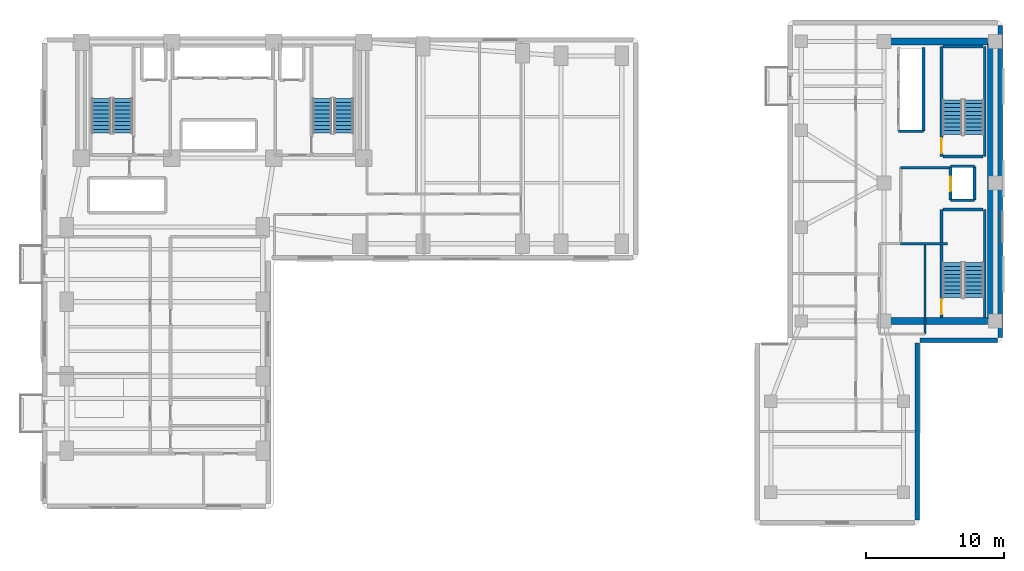
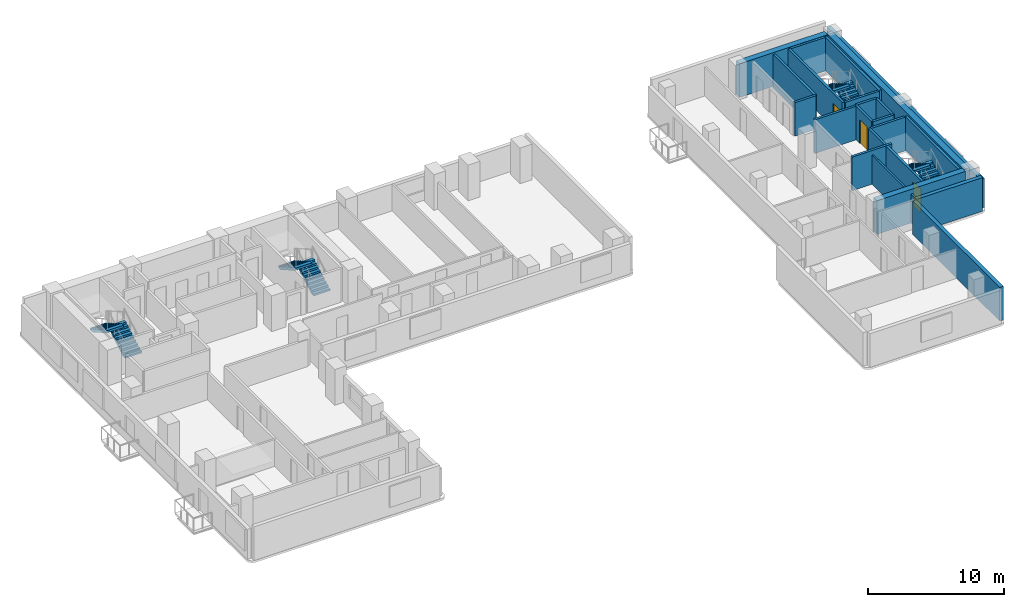
# One storey, part 12 of 16: 22 walls, 8 stair flights, 3 doors, 3 openings, 4 elements without a shape of their own.
"""IFC4 building model written with IfcOpenShell, lengths in metres."""

from ifc_helpers import new_model, si_unit, direction, frame, frame_2d, origin, place, context, subcontext, project, spatial, polyline, rectangle, outline, extrude, material, layer, layer_set, type_object, element, fill, aggregate, save


model = new_model("IFC4")

# Units and contexts
model_context = context("Model", 3, precision=1e-05, world=origin(), true_north=direction((0.0, 1.0)))
body_context = subcontext(model_context, "Body", "Model", "MODEL_VIEW")
ifc_project = project(units=[si_unit("LENGTHUNIT", "METRE"), si_unit("AREAUNIT", "SQUARE_METRE"), si_unit("VOLUMEUNIT", "CUBIC_METRE"), si_unit("PLANEANGLEUNIT", "RADIAN"), si_unit("MASSUNIT", "GRAM", prefix="KILO")], contexts=[model_context])

# Site, building, storey
site_placement = place(None, origin())
site = spatial("IfcSite", under=ifc_project, at=site_placement, CompositionType="ELEMENT")
building_placement = place(site_placement, origin())
building = spatial("IfcBuilding", under=site, at=building_placement, Name="Kuzgunbayir Cultural Tower", CompositionType="ELEMENT")
storey_placement = place(building_placement, frame((0.0, 0.0, 66.0)))
storey = spatial("IfcBuildingStorey", under=building, at=storey_placement, Name="L18", CompositionType="ELEMENT", Elevation=66.0)

# Walls
ifc_material_1 = material(Name="Travertine Buff Ashlar", Category="masonry")
ifc_layer_1 = layer(ifc_material_1, 0.320068359375)
ifc_layer_set_1 = layer_set([ifc_layer_1], Name="Travertine Buff Ashlar")
wall_type_1 = type_object("IfcWallType", Name="WAL-EXT-STONE-320", PredefinedType="STANDARD", material=ifc_layer_set_1)
wall_1_placement = place(storey_placement, frame((73.0, 20.800048828125, 0.0), z_axis=(0.0, 0.0, 1.0), x_axis=(0.0, 1.0, 0.0)))
element("IfcWall", 1, at=wall_1_placement, inside=storey, type_object=wall_type_1, Name="L18 Companion East Limestone Wall", PredefinedType="STANDARD", context=body_context, shape_type="SweptSolid", body=[
    extrude(rectangle(XDim=22.599853515625, YDim=0.320068359375, at=frame_2d((11.2998046875, 0.0))), origin(), (0.0, 0.0, 1.0), 2.60009765625),
])
wall_2_placement = place(storey_placement, frame((67.0, 7.60009765625, 0.0), z_axis=(0.0, 0.0, 1.0), x_axis=(0.0, 1.0, 0.0)))
element("IfcWall", 2, at=wall_2_placement, inside=storey, type_object=wall_type_1, Name="L18 Companion Wing B East Wall", PredefinedType="STANDARD", context=body_context, shape_type="SweptSolid", body=[
    extrude(rectangle(XDim=12.7998046875, YDim=0.320068359375, at=frame_2d((6.39990234375, 0.0))), origin(), (0.0, 0.0, 1.0), 3.02001953125),
])
wall_3_placement = place(storey_placement, frame((67.199951171875, 20.60009765625, 0.0), z_axis=(0.0, 0.0, 1.0), x_axis=(1.0, 0.0, 0.0)))
element("IfcWall", 3, at=wall_3_placement, inside=storey, type_object=wall_type_1, Name="L18 Companion South-East Link", PredefinedType="STANDARD", context=body_context, shape_type="SweptSolid", body=[
    extrude(rectangle(XDim=5.60009765625, YDim=0.320068359375, at=frame_2d((2.800048828125, 0.0))), origin(), (0.0, 0.0, 1.0), 3.02001953125),
])
ifc_material_2 = material(Name="Acoustic Double-Stud Drywall", Category="gypsum")
ifc_layer_2 = layer(ifc_material_2, 0.14990234375)
ifc_layer_set_2 = layer_set([ifc_layer_2], Name="Acoustic Double-Stud Drywall")
wall_type_2 = type_object("IfcWallType", Name="WAL-PART-ACOUSTIC-150", PredefinedType="PARTITIONING", material=ifc_layer_set_2)
wall_4_placement = place(storey_placement, frame((67.550048828125, 21.050048828125, 0.0), z_axis=(0.0, 0.0, 1.0), x_axis=(0.0, 1.0, 0.0)))
element("IfcWall", 4, at=wall_4_placement, inside=storey, type_object=wall_type_2, Name="L18 Companion Archive East Wall", PredefinedType="PARTITIONING", context=body_context, shape_type="SweptSolid", body=[
    extrude(rectangle(XDim=6.469970703125, YDim=0.14990234375, at=frame_2d((3.23486328125, 0.0))), origin(), (0.0, 0.0, 1.0), 2.60009765625),
])
ifc_material_3 = material(Name="Aerated Concrete Blockwork", Category="masonry")
ifc_layer_3 = layer(ifc_material_3, 0.199951171875)
ifc_layer_set_3 = layer_set([ifc_layer_3], Name="Aerated Concrete Blockwork")
wall_type_3 = type_object("IfcWallType", Name="WAL-PART-FIRE-200", PredefinedType="PARTITIONING", material=ifc_layer_set_3)
wall_5_placement = place(storey_placement, frame((65.800048828125, 33.10009765625, 0.0), z_axis=(0.0, 0.0, 1.0), x_axis=(1.0, 0.0, 0.0)))
element("IfcWall", 5, at=wall_5_placement, inside=storey, type_object=wall_type_3, Name="L18 FFL-3 Lobby North Fire Wall", PredefinedType="PARTITIONING", context=body_context, shape_type="SweptSolid", body=[
    extrude(rectangle(XDim=3.599853515625, YDim=0.199951171875, at=frame_2d((1.7998046875, 0.0))), origin(), (0.0, 0.0, 1.0), 3.02001953125),
])
wall_6_placement = place(storey_placement, frame((65.800048828125, 27.60009765625, 0.0), z_axis=(0.0, 0.0, 1.0), x_axis=(1.0, 0.0, 0.0)))
element("IfcWall", 6, at=wall_6_placement, inside=storey, type_object=wall_type_3, Name="L18 FFL-3 Lobby South Fire Wall", PredefinedType="PARTITIONING", context=body_context, shape_type="SweptSolid", body=[
    extrude(rectangle(XDim=3.39990234375, YDim=0.199951171875, at=frame_2d((1.699951171875, 0.0))), origin(), (0.0, 0.0, 1.0), 3.02001953125),
])
ifc_material_4 = material(Name="Concrete C40/50", Category="concrete")
ifc_layer_4 = layer(ifc_material_4, 0.199951171875)
ifc_layer_set_4 = layer_set([ifc_layer_4], Name="Concrete C40/50")
wall_type_4 = type_object("IfcWallType", Name="WAL-SHAFT-200", PredefinedType="MOVABLE", material=ifc_layer_set_4)
wall_7_placement = place(storey_placement, frame((67.449951171875, 35.75, 0.0), z_axis=(0.0, 0.0, 1.0), x_axis=(0.0, 1.0, 0.0)))
element("IfcWall", 7, at=wall_7_placement, inside=storey, type_object=wall_type_4, Name="L18 Companion Lift Shaft Back Wall", PredefinedType="MOVABLE", context=body_context, shape_type="SweptSolid", body=[
    extrude(rectangle(XDim=6.050048828125, YDim=0.199951171875, at=frame_2d((3.02490234375, 0.0))), origin(), (0.0, 0.0, 1.0), 3.02001953125),
])
wall_8_placement = place(storey_placement, frame((65.64990234375, 35.75, 0.0), z_axis=(0.0, 0.0, 1.0), x_axis=(1.0, 0.0, 0.0)))
element("IfcWall", 8, at=wall_8_placement, inside=storey, type_object=wall_type_4, Name="L18 Companion Lift Shaft South Wall", PredefinedType="MOVABLE", context=body_context, shape_type="SweptSolid", body=[
    extrude(rectangle(XDim=1.800048828125, YDim=0.199951171875, at=frame_2d((0.89990234375, 0.0))), origin(), (0.0, 0.0, 1.0), 3.02001953125),
])

# Wall, opening, door
wall_9_placement = place(storey_placement, frame((69.39990234375, 30.75, 0.0), z_axis=(0.0, 0.0, 1.0), x_axis=(0.0, 1.0, 0.0)))
wall_9 = element("IfcWall", 9, at=wall_9_placement, inside=storey, type_object=wall_type_4, Name="L18 FFL-3 Lift Front Wall", PredefinedType="MOVABLE", context=body_context, shape_type="SweptSolid", body=[
    extrude(rectangle(XDim=2.449951171875, YDim=0.199951171875, at=frame_2d((1.22509765625, 0.0))), origin(), (0.0, 0.0, 1.0), 3.02001953125),
])
opening_1_placement = place(wall_9_placement, frame((0.64990234375, 0.0, 0.0)))
opening_1 = element("IfcOpeningElement", 10, at=opening_1_placement, cuts=wall_9, Name="Opening LD", PredefinedType="OPENING", context=body_context, shape_type="SweptSolid", body=[
    extrude(rectangle(XDim=1.050048828125, YDim=2.14990234375, at=frame_2d((0.52490234375, 1.074951171875))), frame((0.0, 0.10986328125, 0.0), z_axis=(0.0, -1.0, 0.0), x_axis=(1.0, 0.0, 0.0)), (0.0, 0.0, 1.0), 0.219970703125),
])
ifc_material_5 = material(Name="Brushed Stainless Steel", Category="steel")
door_type_1 = type_object("IfcDoorType", Name="DR-LIFT-LANDING", OperationType="SLIDING_TO_LEFT", PredefinedType="DOOR", material=ifc_material_5)
door_1_placement = place(opening_1_placement, origin())
door_1 = element("IfcDoor", 11, at=door_1_placement, inside=storey, type_object=door_type_1, Name="L18 Lift FFL-3 Landing Door", OperationType="SLIDING_TO_LEFT", OverallHeight=2.14990234375, OverallWidth=1.050048828125, PredefinedType="DOOR", context=body_context, shape_type="SweptSolid", body=[
    extrude(rectangle(XDim=1.050048828125, YDim=2.14990234375, at=frame_2d((0.52490234375, 1.074951171875))), frame((0.0, 0.02490234375, 0.0), z_axis=(0.0, -1.0, 0.0), x_axis=(1.0, 0.0, 0.0)), (0.0, 0.0, 1.0), 0.050048828125),
])
fill(opening_1, door_1)

# Walls
wall_10_placement = place(storey_placement, frame((71.14990234375, 30.75, 0.0), z_axis=(0.0, 0.0, 1.0), x_axis=(0.0, 1.0, 0.0)))
element("IfcWall", 12, at=wall_10_placement, inside=storey, type_object=wall_type_4, Name="L18 FFL-3 Shaft Back Wall", PredefinedType="MOVABLE", context=body_context, shape_type="SweptSolid", body=[
    extrude(rectangle(XDim=2.449951171875, YDim=0.199951171875, at=frame_2d((1.22509765625, 0.0))), origin(), (0.0, 0.0, 1.0), 3.02001953125),
])
for number, where, z_axis, x_axis, name in (
    (13, (69.39990234375, 33.199951171875, 0.0), (0.0, 0.0, 1.0), (1.0, 0.0, 0.0), "L18 FFL-3 Shaft North Wall"),
    (14, (69.39990234375, 30.75, 0.0), (0.0, 0.0, 1.0), (1.0, 0.0, 0.0), "L18 FFL-3 Shaft South Wall"),
):
    element("IfcWall", number, at=place(storey_placement, frame(where, z_axis=z_axis, x_axis=x_axis)), inside=storey, type_object=wall_type_4, Name=name, PredefinedType="MOVABLE", context=body_context, shape_type="SweptSolid", body=[
        extrude(rectangle(XDim=1.75, YDim=0.199951171875, at=frame_2d((0.875, 0.0))), origin(), (0.0, 0.0, 1.0), 3.02001953125),
    ])

# Wall, opening, door
ifc_layer_5 = layer(ifc_material_4, 0.199951171875)
ifc_layer_set_5 = layer_set([ifc_layer_5], Name="Concrete C40/50")
wall_type_5 = type_object("IfcWallType", Name="WAL-STAIR-RC-200", PredefinedType="SHEAR", material=ifc_layer_set_5)
wall_11_placement = place(storey_placement, frame((68.760009765625, 22.260009765625, 0.0), z_axis=(0.0, 0.0, 1.0), x_axis=(0.0, 1.0, 0.0)))
wall_11 = element("IfcWall", 15, at=wall_11_placement, inside=storey, type_object=wall_type_5, Name="L18 Stair ST-3 West Structural Wall", PredefinedType="SHEAR", context=body_context, shape_type="SweptSolid", body=[
    extrude(rectangle(XDim=7.820068359375, YDim=0.199951171875, at=frame_2d((3.91015625, 0.0))), origin(), (0.0, 0.0, 1.0), 3.02001953125),
])
opening_2_placement = place(wall_11_placement, frame((0.219970703125, 0.0, 0.0)))
opening_2 = element("IfcOpeningElement", 16, at=opening_2_placement, cuts=wall_11, Name="Opening DR-STAIR-90", PredefinedType="OPENING", context=body_context, shape_type="SweptSolid", body=[
    extrude(rectangle(XDim=1.10009765625, YDim=2.14990234375, at=frame_2d((0.550048828125, 1.074951171875))), frame((0.0, 0.10986328125, 0.0), z_axis=(0.0, -1.0, 0.0), x_axis=(1.0, 0.0, 0.0)), (0.0, 0.0, 1.0), 0.219970703125),
])
ifc_material_6 = material(Name="Steel S355J2", Category="steel")
door_type_2 = type_object("IfcDoorType", Name="DR-STAIR-90", OperationType="NOTDEFINED", PredefinedType="DOOR", material=ifc_material_6)
door_2_placement = place(opening_2_placement, origin())
door_2 = element("IfcDoor", 17, at=door_2_placement, inside=storey, type_object=door_type_2, Name="L18 Stair ST-3 Fire Door", OperationType="SINGLE_SWING_RIGHT", OverallHeight=2.14990234375, OverallWidth=1.10009765625, PredefinedType="DOOR", context=body_context, shape_type="SweptSolid", body=[
    extrude(rectangle(XDim=1.10009765625, YDim=2.14990234375, at=frame_2d((0.550048828125, 1.074951171875))), frame((0.0, 0.02490234375, 0.0), z_axis=(0.0, -1.0, 0.0), x_axis=(1.0, 0.0, 0.0)), (0.0, 0.0, 1.0), 0.050048828125),
])
fill(opening_2, door_2)

# Walls
wall_12_placement = place(storey_placement, frame((71.8798828125, 22.260009765625, 0.0), z_axis=(0.0, 0.0, 1.0), x_axis=(0.0, 1.0, 0.0)))
element("IfcWall", 18, at=wall_12_placement, inside=storey, type_object=wall_type_5, Name="L18 Stair ST-3 East Structural Wall", PredefinedType="SHEAR", context=body_context, shape_type="SweptSolid", body=[
    extrude(rectangle(XDim=7.820068359375, YDim=0.199951171875, at=frame_2d((3.91015625, 0.0))), origin(), (0.0, 0.0, 1.0), 3.02001953125),
])
wall_13_placement = place(storey_placement, frame((68.8798828125, 30.080078125, 0.0), z_axis=(0.0, 0.0, 1.0), x_axis=(1.0, 0.0, 0.0)))
element("IfcWall", 19, at=wall_13_placement, inside=storey, type_object=wall_type_5, Name="L18 Stair ST-3 North Structural Wall", PredefinedType="SHEAR", context=body_context, shape_type="SweptSolid", body=[
    extrude(rectangle(XDim=2.880126953125, YDim=0.199951171875, at=frame_2d((1.43994140625, 0.0))), origin(), (0.0, 0.0, 1.0), 3.02001953125),
])

# Wall, opening, door
wall_14_placement = place(storey_placement, frame((68.760009765625, 33.919921875, 0.0), z_axis=(0.0, 0.0, 1.0), x_axis=(0.0, 1.0, 0.0)))
wall_14 = element("IfcWall", 20, at=wall_14_placement, inside=storey, type_object=wall_type_5, Name="L18 Stair ST-4 West Structural Wall", PredefinedType="SHEAR", context=body_context, shape_type="SweptSolid", body=[
    extrude(rectangle(XDim=7.9599609375, YDim=0.199951171875, at=frame_2d((3.97998046875, 0.0))), origin(), (0.0, 0.0, 1.0), 3.02001953125),
])
opening_3_placement = place(wall_14_placement, frame((0.219970703125, 0.0, 0.0)))
opening_3 = element("IfcOpeningElement", 21, at=opening_3_placement, cuts=wall_14, Name="Opening DR-STAIR-90", PredefinedType="OPENING", context=body_context, shape_type="SweptSolid", body=[
    extrude(rectangle(XDim=1.10009765625, YDim=2.14990234375, at=frame_2d((0.550048828125, 1.074951171875))), frame((0.0, 0.10986328125, 0.0), z_axis=(0.0, -1.0, 0.0), x_axis=(1.0, 0.0, 0.0)), (0.0, 0.0, 1.0), 0.219970703125),
])
door_3_placement = place(opening_3_placement, origin())
door_3 = element("IfcDoor", 22, at=door_3_placement, inside=storey, type_object=door_type_2, Name="L18 Stair ST-4 Fire Door", OperationType="SINGLE_SWING_LEFT", OverallHeight=2.14990234375, OverallWidth=1.10009765625, PredefinedType="DOOR", context=body_context, shape_type="SweptSolid", body=[
    extrude(rectangle(XDim=1.10009765625, YDim=2.14990234375, at=frame_2d((0.550048828125, 1.074951171875))), frame((0.0, 0.02490234375, 0.0), z_axis=(0.0, -1.0, 0.0), x_axis=(1.0, 0.0, 0.0)), (0.0, 0.0, 1.0), 0.050048828125),
])
fill(opening_3, door_3)

# Walls
wall_15_placement = place(storey_placement, frame((71.8798828125, 33.919921875, 0.0), z_axis=(0.0, 0.0, 1.0), x_axis=(0.0, 1.0, 0.0)))
element("IfcWall", 23, at=wall_15_placement, inside=storey, type_object=wall_type_5, Name="L18 Stair ST-4 East Structural Wall", PredefinedType="SHEAR", context=body_context, shape_type="SweptSolid", body=[
    extrude(rectangle(XDim=7.9599609375, YDim=0.199951171875, at=frame_2d((3.97998046875, 0.0))), origin(), (0.0, 0.0, 1.0), 3.02001953125),
])
for number, where, z_axis, x_axis, name in (
    (24, (68.8798828125, 41.8798828125, 0.0), (0.0, 0.0, 1.0), (1.0, 0.0, 0.0), "L18 Stair ST-4 North Structural Wall"),
    (25, (68.8798828125, 33.919921875, 0.0), (0.0, 0.0, 1.0), (1.0, 0.0, 0.0), "L18 Stair ST-4 South Structural Wall"),
):
    element("IfcWall", number, at=place(storey_placement, frame(where, z_axis=z_axis, x_axis=x_axis)), inside=storey, type_object=wall_type_5, Name=name, PredefinedType="SHEAR", context=body_context, shape_type="SweptSolid", body=[
        extrude(rectangle(XDim=2.880126953125, YDim=0.199951171875, at=frame_2d((1.43994140625, 0.0))), origin(), (0.0, 0.0, 1.0), 3.02001953125),
    ])
ifc_material_7 = material(Name="Concrete C60/75", Category="concrete")
ifc_layer_6 = layer(ifc_material_7, 0.5)
ifc_layer_set_6 = layer_set([ifc_layer_6], Name="Concrete C60/75")
wall_type_6 = type_object("IfcWallType", Name="WAL-T2-CORE-500", PredefinedType="SHEAR", material=ifc_layer_set_6)
wall_16_placement = place(storey_placement, frame((72.35009765625, 22.0, 0.0), z_axis=(0.0, 0.0, 1.0), x_axis=(0.0, 1.0, 0.0)))
element("IfcWall", 26, at=wall_16_placement, inside=storey, type_object=wall_type_6, Name="L18 Companion Core East Shear Wall", PredefinedType="SHEAR", context=body_context, shape_type="SweptSolid", body=[
    extrude(rectangle(XDim=20.25, YDim=0.5, at=frame_2d((10.125, 0.0))), origin(), (0.0, 0.0, 1.0), 3.02001953125),
])
for number, where, z_axis, x_axis, name in (
    (27, (64.60009765625, 42.25, 0.0), (0.0, 0.0, 1.0), (1.0, 0.0, 0.0), "L18 Companion Core North Shear Wall"),
    (28, (64.60009765625, 22.0, 0.0), (0.0, 0.0, 1.0), (1.0, 0.0, 0.0), "L18 Companion Core South Shear Wall"),
):
    element("IfcWall", number, at=place(storey_placement, frame(where, z_axis=z_axis, x_axis=x_axis)), inside=storey, type_object=wall_type_6, Name=name, PredefinedType="SHEAR", context=body_context, shape_type="SweptSolid", body=[
        extrude(rectangle(XDim=7.5, YDim=0.5, at=frame_2d((3.75, 0.0))), origin(), (0.0, 0.0, 1.0), 3.02001953125),
    ])

# Stair, stair flights
stair_type = type_object("IfcStairType", Name="STR-EXIT-CORE", PredefinedType="HALF_TURN_STAIR", material=ifc_material_4)
stair_1_placement = place(storey_placement, origin())
stair_1 = element("IfcStair", 29, at=stair_1_placement, inside=storey, type_object=stair_type, Name="L18 ST-1", PredefinedType="HALF_TURN_STAIR")
stair_flight_type = type_object("IfcStairFlightType", Name="STRF-RC-140", PredefinedType="STRAIGHT", material=ifc_material_4)
stair_flight_1_placement = place(storey_placement, frame((9.4599609375, 35.60009765625, 0.0), z_axis=(0.0, 0.0, 1.0), x_axis=(0.0, 1.0, 0.0)))
stair_flight_1 = element("IfcStairFlight", 30, at=stair_flight_1_placement, type_object=stair_flight_type, Name="ST-1 flight 1", NumberOfRisers=10, NumberOfTreads=9, PredefinedType="STRAIGHT", RiserHeight=0.16, TreadLength=0.28, context=body_context, shape_type="SweptSolid", body=[
    extrude(outline(polyline([(0.0, 0.0), (0.0, 0.159912109375), (0.280029296875, 0.159912109375), (0.280029296875, 0.320068359375), (0.56005859375, 0.320068359375), (0.56005859375, 0.47998046875), (0.840087890625, 0.47998046875), (0.840087890625, 0.639892578125), (1.1201171875, 0.639892578125), (1.1201171875, 0.800048828125), (1.39990234375, 0.800048828125), (1.39990234375, 0.9599609375), (1.679931640625, 0.9599609375), (1.679931640625, 1.1201171875), (1.9599609375, 1.1201171875), (1.9599609375, 1.280029296875), (2.239990234375, 1.280029296875), (2.239990234375, 1.43994140625), (2.52001953125, 1.43994140625), (2.52001953125, 1.60009765625), (2.52001953125, 1.232666015625), (0.362548828125, 0.0), (0.0, 0.0)])), frame((0.0, 0.699951171875, 0.0), z_axis=(0.0, -1.0, 0.0), x_axis=(1.0, 0.0, 0.0)), (0.0, 0.0, 1.0), 1.39990234375),
])
stair_flight_2_placement = place(storey_placement, frame((7.89990234375, 38.1201171875, 1.60009765625), z_axis=(0.0, 0.0, 1.0), x_axis=(0.0, -1.0, 0.0)))
stair_flight_2 = element("IfcStairFlight", 31, at=stair_flight_2_placement, type_object=stair_flight_type, Name="ST-1 flight 2", NumberOfRisers=10, NumberOfTreads=9, PredefinedType="STRAIGHT", RiserHeight=0.16, TreadLength=0.28, context=body_context, shape_type="SweptSolid", body=[
    extrude(outline(polyline([(0.0, 0.0), (0.0, 0.159912109375), (0.280029296875, 0.159912109375), (0.280029296875, 0.320068359375), (0.56005859375, 0.320068359375), (0.56005859375, 0.47998046875), (0.840087890625, 0.47998046875), (0.840087890625, 0.639892578125), (1.1201171875, 0.639892578125), (1.1201171875, 0.800048828125), (1.39990234375, 0.800048828125), (1.39990234375, 0.9599609375), (1.679931640625, 0.9599609375), (1.679931640625, 1.1201171875), (1.9599609375, 1.1201171875), (1.9599609375, 1.280029296875), (2.239990234375, 1.280029296875), (2.239990234375, 1.43994140625), (2.52001953125, 1.43994140625), (2.52001953125, 1.60009765625), (2.52001953125, 1.232666015625), (0.362548828125, 0.0), (0.0, 0.0)])), frame((0.0, 0.699951171875, 0.0), z_axis=(0.0, -1.0, 0.0), x_axis=(1.0, 0.0, 0.0)), (0.0, 0.0, 1.0), 1.39990234375),
])
aggregate(stair_1, [stair_flight_1, stair_flight_2])

stair_2_placement = place(storey_placement, origin())
stair_2 = element("IfcStair", 32, at=stair_2_placement, inside=storey, type_object=stair_type, Name="L18 ST-2", PredefinedType="HALF_TURN_STAIR")
stair_flight_3_placement = place(storey_placement, frame((25.4599609375, 35.60009765625, 0.0), z_axis=(0.0, 0.0, 1.0), x_axis=(0.0, 1.0, 0.0)))
stair_flight_3 = element("IfcStairFlight", 33, at=stair_flight_3_placement, type_object=stair_flight_type, Name="ST-2 flight 1", NumberOfRisers=10, NumberOfTreads=9, PredefinedType="STRAIGHT", RiserHeight=0.16, TreadLength=0.28, context=body_context, shape_type="SweptSolid", body=[
    extrude(outline(polyline([(0.0, 0.0), (0.0, 0.159912109375), (0.280029296875, 0.159912109375), (0.280029296875, 0.320068359375), (0.56005859375, 0.320068359375), (0.56005859375, 0.47998046875), (0.840087890625, 0.47998046875), (0.840087890625, 0.639892578125), (1.1201171875, 0.639892578125), (1.1201171875, 0.800048828125), (1.39990234375, 0.800048828125), (1.39990234375, 0.9599609375), (1.679931640625, 0.9599609375), (1.679931640625, 1.1201171875), (1.9599609375, 1.1201171875), (1.9599609375, 1.280029296875), (2.239990234375, 1.280029296875), (2.239990234375, 1.43994140625), (2.52001953125, 1.43994140625), (2.52001953125, 1.60009765625), (2.52001953125, 1.232666015625), (0.362548828125, 0.0), (0.0, 0.0)])), frame((0.0, 0.699951171875, 0.0), z_axis=(0.0, -1.0, 0.0), x_axis=(1.0, 0.0, 0.0)), (0.0, 0.0, 1.0), 1.39990234375),
])
stair_flight_4_placement = place(storey_placement, frame((23.89990234375, 38.1201171875, 1.60009765625), z_axis=(0.0, 0.0, 1.0), x_axis=(0.0, -1.0, 0.0)))
stair_flight_4 = element("IfcStairFlight", 34, at=stair_flight_4_placement, type_object=stair_flight_type, Name="ST-2 flight 2", NumberOfRisers=10, NumberOfTreads=9, PredefinedType="STRAIGHT", RiserHeight=0.16, TreadLength=0.28, context=body_context, shape_type="SweptSolid", body=[
    extrude(outline(polyline([(0.0, 0.0), (0.0, 0.159912109375), (0.280029296875, 0.159912109375), (0.280029296875, 0.320068359375), (0.56005859375, 0.320068359375), (0.56005859375, 0.47998046875), (0.840087890625, 0.47998046875), (0.840087890625, 0.639892578125), (1.1201171875, 0.639892578125), (1.1201171875, 0.800048828125), (1.39990234375, 0.800048828125), (1.39990234375, 0.9599609375), (1.679931640625, 0.9599609375), (1.679931640625, 1.1201171875), (1.9599609375, 1.1201171875), (1.9599609375, 1.280029296875), (2.239990234375, 1.280029296875), (2.239990234375, 1.43994140625), (2.52001953125, 1.43994140625), (2.52001953125, 1.60009765625), (2.52001953125, 1.232666015625), (0.362548828125, 0.0), (0.0, 0.0)])), frame((0.0, 0.699951171875, 0.0), z_axis=(0.0, -1.0, 0.0), x_axis=(1.0, 0.0, 0.0)), (0.0, 0.0, 1.0), 1.39990234375),
])
aggregate(stair_2, [stair_flight_3, stair_flight_4])

stair_3_placement = place(storey_placement, origin())
stair_3 = element("IfcStair", 35, at=stair_3_placement, inside=storey, type_object=stair_type, Name="L18 ST-3", PredefinedType="HALF_TURN_STAIR")
stair_flight_5_placement = place(storey_placement, frame((71.10009765625, 23.699951171875, 0.0), z_axis=(0.0, 0.0, 1.0), x_axis=(0.0, 1.0, 0.0)))
stair_flight_5 = element("IfcStairFlight", 36, at=stair_flight_5_placement, type_object=stair_flight_type, Name="ST-3 flight 1", NumberOfRisers=10, NumberOfTreads=9, PredefinedType="STRAIGHT", RiserHeight=0.16, TreadLength=0.28, context=body_context, shape_type="SweptSolid", body=[
    extrude(outline(polyline([(0.0, 0.0), (0.0, 0.159912109375), (0.280029296875, 0.159912109375), (0.280029296875, 0.320068359375), (0.56005859375, 0.320068359375), (0.56005859375, 0.47998046875), (0.840087890625, 0.47998046875), (0.840087890625, 0.639892578125), (1.1201171875, 0.639892578125), (1.1201171875, 0.800048828125), (1.39990234375, 0.800048828125), (1.39990234375, 0.9599609375), (1.679931640625, 0.9599609375), (1.679931640625, 1.1201171875), (1.9599609375, 1.1201171875), (1.9599609375, 1.280029296875), (2.239990234375, 1.280029296875), (2.239990234375, 1.43994140625), (2.52001953125, 1.43994140625), (2.52001953125, 1.60009765625), (2.52001953125, 1.232666015625), (0.362548828125, 0.0), (0.0, 0.0)])), frame((0.0, 0.699951171875, 0.0), z_axis=(0.0, -1.0, 0.0), x_axis=(1.0, 0.0, 0.0)), (0.0, 0.0, 1.0), 1.39990234375),
])
stair_flight_6_placement = place(storey_placement, frame((69.5400390625, 26.219970703125, 1.60009765625), z_axis=(0.0, 0.0, 1.0), x_axis=(0.0, -1.0, 0.0)))
stair_flight_6 = element("IfcStairFlight", 37, at=stair_flight_6_placement, type_object=stair_flight_type, Name="ST-3 flight 2", NumberOfRisers=10, NumberOfTreads=9, PredefinedType="STRAIGHT", RiserHeight=0.16, TreadLength=0.28, context=body_context, shape_type="SweptSolid", body=[
    extrude(outline(polyline([(0.0, 0.0), (0.0, 0.159912109375), (0.280029296875, 0.159912109375), (0.280029296875, 0.320068359375), (0.56005859375, 0.320068359375), (0.56005859375, 0.47998046875), (0.840087890625, 0.47998046875), (0.840087890625, 0.639892578125), (1.1201171875, 0.639892578125), (1.1201171875, 0.800048828125), (1.39990234375, 0.800048828125), (1.39990234375, 0.9599609375), (1.679931640625, 0.9599609375), (1.679931640625, 1.1201171875), (1.9599609375, 1.1201171875), (1.9599609375, 1.280029296875), (2.239990234375, 1.280029296875), (2.239990234375, 1.43994140625), (2.52001953125, 1.43994140625), (2.52001953125, 1.60009765625), (2.52001953125, 1.232666015625), (0.362548828125, 0.0), (0.0, 0.0)])), frame((0.0, 0.699951171875, 0.0), z_axis=(0.0, -1.0, 0.0), x_axis=(1.0, 0.0, 0.0)), (0.0, 0.0, 1.0), 1.39990234375),
])
aggregate(stair_3, [stair_flight_5, stair_flight_6])

stair_4_placement = place(storey_placement, origin())
stair_4 = element("IfcStair", 38, at=stair_4_placement, inside=storey, type_object=stair_type, Name="L18 ST-4", PredefinedType="HALF_TURN_STAIR")
stair_flight_7_placement = place(storey_placement, frame((71.10009765625, 35.5, 0.0), z_axis=(0.0, 0.0, 1.0), x_axis=(0.0, 1.0, 0.0)))
stair_flight_7 = element("IfcStairFlight", 39, at=stair_flight_7_placement, type_object=stair_flight_type, Name="ST-4 flight 1", NumberOfRisers=10, NumberOfTreads=9, PredefinedType="STRAIGHT", RiserHeight=0.16, TreadLength=0.28, context=body_context, shape_type="SweptSolid", body=[
    extrude(outline(polyline([(0.0, 0.0), (0.0, 0.159912109375), (0.280029296875, 0.159912109375), (0.280029296875, 0.320068359375), (0.56005859375, 0.320068359375), (0.56005859375, 0.47998046875), (0.840087890625, 0.47998046875), (0.840087890625, 0.639892578125), (1.1201171875, 0.639892578125), (1.1201171875, 0.800048828125), (1.39990234375, 0.800048828125), (1.39990234375, 0.9599609375), (1.679931640625, 0.9599609375), (1.679931640625, 1.1201171875), (1.9599609375, 1.1201171875), (1.9599609375, 1.280029296875), (2.239990234375, 1.280029296875), (2.239990234375, 1.43994140625), (2.52001953125, 1.43994140625), (2.52001953125, 1.60009765625), (2.52001953125, 1.232666015625), (0.362548828125, 0.0), (0.0, 0.0)])), frame((0.0, 0.699951171875, 0.0), z_axis=(0.0, -1.0, 0.0), x_axis=(1.0, 0.0, 0.0)), (0.0, 0.0, 1.0), 1.39990234375),
])
stair_flight_8_placement = place(storey_placement, frame((69.5400390625, 38.02001953125, 1.60009765625), z_axis=(0.0, 0.0, 1.0), x_axis=(0.0, -1.0, 0.0)))
stair_flight_8 = element("IfcStairFlight", 40, at=stair_flight_8_placement, type_object=stair_flight_type, Name="ST-4 flight 2", NumberOfRisers=10, NumberOfTreads=9, PredefinedType="STRAIGHT", RiserHeight=0.16, TreadLength=0.28, context=body_context, shape_type="SweptSolid", body=[
    extrude(outline(polyline([(0.0, 0.0), (0.0, 0.159912109375), (0.280029296875, 0.159912109375), (0.280029296875, 0.320068359375), (0.56005859375, 0.320068359375), (0.56005859375, 0.47998046875), (0.840087890625, 0.47998046875), (0.840087890625, 0.639892578125), (1.1201171875, 0.639892578125), (1.1201171875, 0.800048828125), (1.39990234375, 0.800048828125), (1.39990234375, 0.9599609375), (1.679931640625, 0.9599609375), (1.679931640625, 1.1201171875), (1.9599609375, 1.1201171875), (1.9599609375, 1.280029296875), (2.239990234375, 1.280029296875), (2.239990234375, 1.43994140625), (2.52001953125, 1.43994140625), (2.52001953125, 1.60009765625), (2.52001953125, 1.232666015625), (0.362548828125, 0.0), (0.0, 0.0)])), frame((0.0, 0.699951171875, 0.0), z_axis=(0.0, -1.0, 0.0), x_axis=(1.0, 0.0, 0.0)), (0.0, 0.0, 1.0), 1.39990234375),
])
aggregate(stair_4, [stair_flight_7, stair_flight_8])

save(model, "model.ifc")
